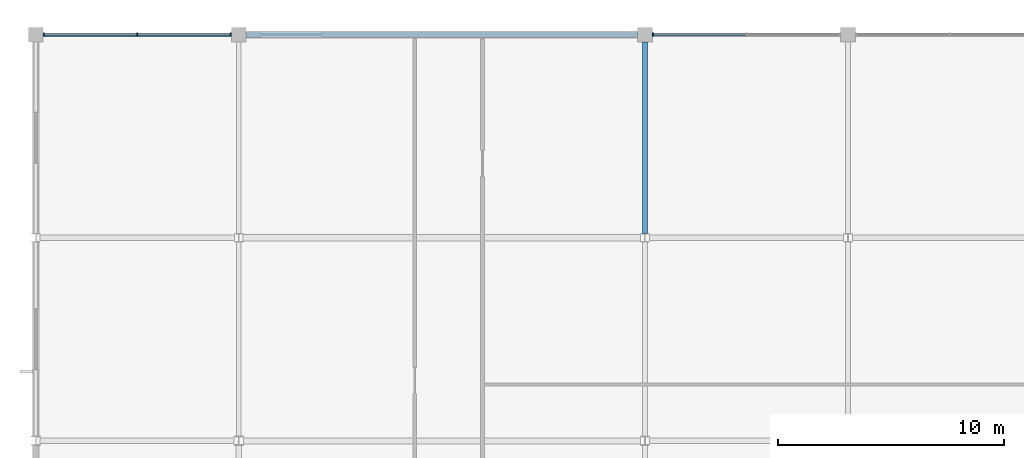
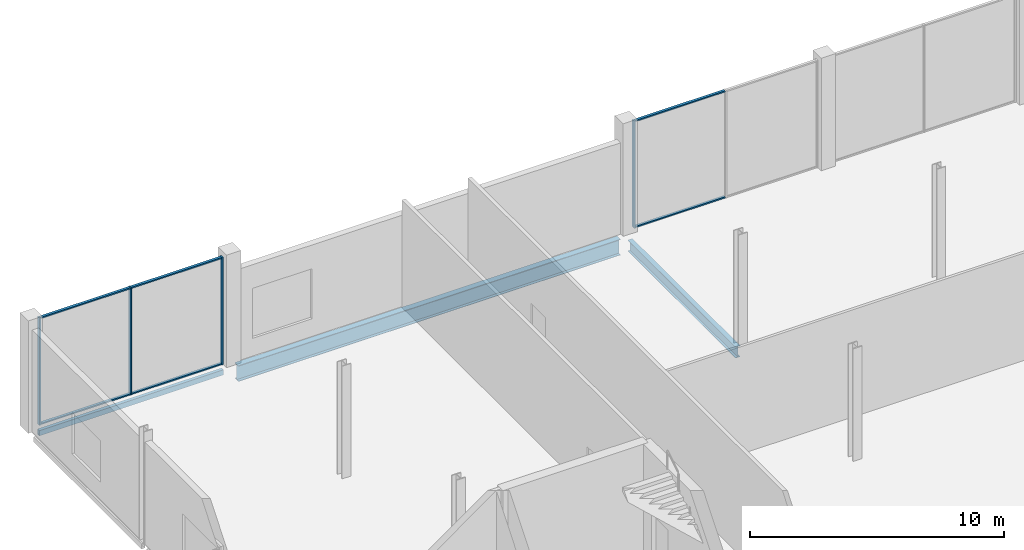
# One storey, part 29 of 111: 10 members, 3 beams, 2 elements without a shape of their own.
"""IFC4 building model written with IfcOpenShell, lengths in metres."""

from ifc_helpers import new_model, si_unit, direction, frame, origin, origin_2d, place, context, subcontext, project, spatial, rectangle, hollow_rectangle, i_section, extrude, material, layer, layer_set, material_profile, profile_set, type_object, element, aggregate, save


model = new_model("IFC4")

# Units and contexts
model_context = context("Model", 3, precision=1e-05, world=origin(), true_north=direction((0.0, 1.0)))
body_context = subcontext(model_context, "Body", "Model", "MODEL_VIEW")
ifc_project = project(units=[si_unit("LENGTHUNIT", "METRE"), si_unit("AREAUNIT", "SQUARE_METRE"), si_unit("VOLUMEUNIT", "CUBIC_METRE"), si_unit("PLANEANGLEUNIT", "RADIAN"), si_unit("MASSUNIT", "GRAM", prefix="KILO")], contexts=[model_context])

# Site, building, storey
site_placement = place(None, origin())
site = spatial("IfcSite", under=ifc_project, at=site_placement, CompositionType="ELEMENT")
building_placement = place(site_placement, origin())
building = spatial("IfcBuilding", under=site, at=building_placement, Name="Kisiwana Market Hall", CompositionType="ELEMENT")
storey_placement = place(building_placement, frame((0.0, 0.0, 11.39990234375)))
storey = spatial("IfcBuildingStorey", under=building, at=storey_placement, Name="L02", CompositionType="ELEMENT", Elevation=11.39990234375)

# Beams
ifc_material_1 = material(Name="Steel S355", Category="steel")
ifc_material_profile_1 = material_profile(ifc_material_1, i_section(OverallWidth=0.209228515625, OverallDepth=0.533203125, WebThickness=0.010009765625, FlangeThickness=0.015625, at=origin_2d()), Name="UB 533x210x92")
ifc_profile_set_1 = profile_set([ifc_material_profile_1], Name="Steel S355")
beam_type_1 = type_object("IfcBeamType", Name="BM-GIRD-UB533", PredefinedType="BEAM", material=ifc_profile_set_1)
beam_1_placement = place(storey_placement, frame((27.0, 111.19921875, -0.516357421875), z_axis=(0.0, 1.0, 0.0), x_axis=(-1.0, 0.0, 0.0)))
element("IfcBeam", 1, at=beam_1_placement, inside=storey, type_object=beam_type_1, Name="Primary girder B-0614", PredefinedType="BEAM", context=body_context, shape_type="SweptSolid", body=[
    extrude(i_section(OverallWidth=0.209228515625, OverallDepth=0.533203125, WebThickness=0.010009765625, FlangeThickness=0.015625, at=origin_2d()), origin(), (0.0, 0.0, 1.0), 8.479736328125),
])
ifc_material_2 = material(Name="Steel S355", Category="steel")
ifc_material_profile_2 = material_profile(ifc_material_2, i_section(OverallWidth=0.2666015625, OverallDepth=0.76220703125, WebThickness=0.014404296875, FlangeThickness=0.021484375, at=origin_2d()), Name="UB 762x267x173")
ifc_profile_set_2 = profile_set([ifc_material_profile_2], Name="Steel S355")
beam_type_2 = type_object("IfcBeamType", Name="BM-GIRD-UB762", PredefinedType="BEAM", material=ifc_profile_set_2)
beam_2_placement = place(storey_placement, frame((9.321044921875, 120.0, -0.631103515625), z_axis=(1.0, 0.0, 0.0), x_axis=(0.0, 1.0, 0.0)))
element("IfcBeam", 2, at=beam_2_placement, inside=storey, type_object=beam_type_2, Name="Floor beam B-0812", PredefinedType="BEAM", context=body_context, shape_type="SweptSolid", body=[
    extrude(i_section(OverallWidth=0.2666015625, OverallDepth=0.76220703125, WebThickness=0.014404296875, FlangeThickness=0.021484375, at=origin_2d()), origin(), (0.0, 0.0, 1.0), 17.35791015625),
])
ifc_material_3 = material(Name="Steel S355", Category="steel")
ifc_material_profile_3 = material_profile(ifc_material_3, hollow_rectangle(XDim=0.14990234375, YDim=0.25, WallThickness=0.010009765625, at=origin_2d()), Name="RHS 250x150x10.0")
ifc_profile_set_3 = profile_set([ifc_material_profile_3], Name="Steel S355")
beam_type_3 = type_object("IfcBeamType", Name="BM-SPAN-RHS250", PredefinedType="SPANDREL", material=ifc_profile_set_3)
beam_3_placement = place(storey_placement, frame((0.321044921875, 120.0, -0.375), z_axis=(1.0, 0.0, 0.0), x_axis=(0.0, 1.0, 0.0)))
element("IfcBeam", 3, at=beam_3_placement, inside=storey, type_object=beam_type_3, Name="Floor beam B-0811", PredefinedType="SPANDREL", context=body_context, shape_type="SweptSolid", body=[
    extrude(hollow_rectangle(XDim=0.14990234375, YDim=0.25, WallThickness=0.010009765625, at=origin_2d()), origin(), (0.0, 0.0, 1.0), 8.35791015625),
])

# Curtain wall, members
ifc_material_4 = material(Name="Double-glazed solar-control low-E IGU", Category="glass")
ifc_layer = layer(ifc_material_4, 0.159912109375)
ifc_layer_set = layer_set([ifc_layer], Name="CW-GLD-E-7200")
curtain_wall_type = type_object("IfcCurtainWallType", Name="CW-GLD-E-7200", PredefinedType="USERDEFINED", material=ifc_layer_set)
curtain_wall_1_placement = place(storey_placement, origin())
curtain_wall_1 = element("IfcCurtainWall", 4, at=curtain_wall_1_placement, inside=storey, type_object=curtain_wall_type, Name="Unitised curtain wall CW-079 (L02)", ObjectType="UNITISED CURTAIN WALL", PredefinedType="USERDEFINED")
ifc_material_5 = material(Name="Aluminium alloy 6063-T6", Category="aluminium")
ifc_material_profile_4 = material_profile(ifc_material_5, rectangle(XDim=0.06005859375, YDim=0.159912109375, at=origin_2d()), Name="ALU MULLION 60x160")
ifc_profile_set_4 = profile_set([ifc_material_profile_4], Name="Aluminium alloy 6063-T6")
member_type_1 = type_object("IfcMemberType", Name="CW-MULL-60x160", PredefinedType="MULLION", material=ifc_profile_set_4)
member_1_placement = place(storey_placement, frame((0.35498046875, 120.0, 0.0), z_axis=(0.0, 0.0, 1.0), x_axis=(1.0, 0.0, 0.0)))
member_1 = element("IfcMember", 5, at=member_1_placement, type_object=member_type_1, Name="CW-079 mullion 1", PredefinedType="MULLION", context=body_context, shape_type="SweptSolid", body=[
    extrude(rectangle(XDim=0.06005859375, YDim=0.159912109375, at=origin_2d()), origin(), (0.0, 0.0, 1.0), 5.150146484375),
])
member_2_placement = place(storey_placement, frame((4.5, 120.0, 0.0), z_axis=(0.0, 0.0, 1.0), x_axis=(1.0, 0.0, 0.0)))
member_2 = element("IfcMember", 6, at=member_2_placement, type_object=member_type_1, Name="CW-079 mullion 2", PredefinedType="MULLION", context=body_context, shape_type="SweptSolid", body=[
    extrude(rectangle(XDim=0.06005859375, YDim=0.159912109375, at=origin_2d()), origin(), (0.0, 0.0, 1.0), 5.150146484375),
])
member_3_placement = place(storey_placement, frame((8.64501953125, 120.0, 0.0), z_axis=(0.0, 0.0, 1.0), x_axis=(1.0, 0.0, 0.0)))
member_3 = element("IfcMember", 7, at=member_3_placement, type_object=member_type_1, Name="CW-079 mullion 3", PredefinedType="MULLION", context=body_context, shape_type="SweptSolid", body=[
    extrude(rectangle(XDim=0.06005859375, YDim=0.159912109375, at=origin_2d()), origin(), (0.0, 0.0, 1.0), 5.150146484375),
])

# Curtain wall, member
curtain_wall_2_placement = place(storey_placement, origin())
curtain_wall_2 = element("IfcCurtainWall", 8, at=curtain_wall_2_placement, inside=storey, type_object=curtain_wall_type, Name="Unitised curtain wall CW-080 (L02)", ObjectType="UNITISED CURTAIN WALL", PredefinedType="USERDEFINED")
member_4_placement = place(storey_placement, frame((27.35498046875, 120.0, 0.0), z_axis=(0.0, 0.0, 1.0), x_axis=(1.0, 0.0, 0.0)))
member_4 = element("IfcMember", 9, at=member_4_placement, type_object=member_type_1, Name="CW-080 mullion 1", PredefinedType="MULLION", context=body_context, shape_type="SweptSolid", body=[
    extrude(rectangle(XDim=0.06005859375, YDim=0.159912109375, at=origin_2d()), origin(), (0.0, 0.0, 1.0), 5.150146484375),
])

# Member
ifc_material_6 = material(Name="Aluminium alloy 6063-T6", Category="aluminium")
ifc_material_profile_5 = material_profile(ifc_material_6, rectangle(XDim=0.1201171875, YDim=0.06005859375, at=origin_2d()), Name="ALU TRANSOM 60x120")
ifc_profile_set_5 = profile_set([ifc_material_profile_5], Name="Aluminium alloy 6063-T6")
member_type_2 = type_object("IfcMemberType", Name="CW-TRAN-60x120", PredefinedType="USERDEFINED", material=ifc_profile_set_5)
member_5_placement = place(storey_placement, frame((0.385009765625, 120.0, 0.030029296875), z_axis=(1.0, 0.0, 0.0), x_axis=(0.0, 1.0, 0.0)))
member_5 = element("IfcMember", 10, at=member_5_placement, type_object=member_type_2, Name="CW-079 transom 1.1", ObjectType="TRANSOM", PredefinedType="USERDEFINED", context=body_context, shape_type="SweptSolid", body=[
    extrude(rectangle(XDim=0.1201171875, YDim=0.06005859375, at=origin_2d()), origin(), (0.0, 0.0, 1.0), 4.0849609375),
])

member_6_placement = place(storey_placement, frame((0.385009765625, 120.0, 5.1201171875), z_axis=(1.0, 0.0, 0.0), x_axis=(0.0, 1.0, 0.0)))
member_6 = element("IfcMember", 11, at=member_6_placement, type_object=member_type_2, Name="CW-079 transom 1.2", ObjectType="TRANSOM", PredefinedType="USERDEFINED", context=body_context, shape_type="SweptSolid", body=[
    extrude(rectangle(XDim=0.1201171875, YDim=0.06005859375, at=origin_2d()), origin(), (0.0, 0.0, 1.0), 4.0849609375),
])

member_7_placement = place(storey_placement, frame((4.530029296875, 120.0, 0.030029296875), z_axis=(1.0, 0.0, 0.0), x_axis=(0.0, 1.0, 0.0)))
member_7 = element("IfcMember", 12, at=member_7_placement, type_object=member_type_2, Name="CW-079 transom 2.1", ObjectType="TRANSOM", PredefinedType="USERDEFINED", context=body_context, shape_type="SweptSolid", body=[
    extrude(rectangle(XDim=0.1201171875, YDim=0.06005859375, at=origin_2d()), origin(), (0.0, 0.0, 1.0), 4.0849609375),
])

member_8_placement = place(storey_placement, frame((4.530029296875, 120.0, 5.1201171875), z_axis=(1.0, 0.0, 0.0), x_axis=(0.0, 1.0, 0.0)))
member_8 = element("IfcMember", 13, at=member_8_placement, type_object=member_type_2, Name="CW-079 transom 2.2", ObjectType="TRANSOM", PredefinedType="USERDEFINED", context=body_context, shape_type="SweptSolid", body=[
    extrude(rectangle(XDim=0.1201171875, YDim=0.06005859375, at=origin_2d()), origin(), (0.0, 0.0, 1.0), 4.0849609375),
])

aggregate(curtain_wall_1, [member_1, member_2, member_3, member_5, member_6, member_7, member_8])

member_9_placement = place(storey_placement, frame((27.385009765625, 120.0, 0.030029296875), z_axis=(1.0, 0.0, 0.0), x_axis=(0.0, 1.0, 0.0)))
member_9 = element("IfcMember", 14, at=member_9_placement, type_object=member_type_2, Name="CW-080 transom 1.1", ObjectType="TRANSOM", PredefinedType="USERDEFINED", context=body_context, shape_type="SweptSolid", body=[
    extrude(rectangle(XDim=0.1201171875, YDim=0.06005859375, at=origin_2d()), origin(), (0.0, 0.0, 1.0), 4.0849609375),
])

member_10_placement = place(storey_placement, frame((27.385009765625, 120.0, 5.1201171875), z_axis=(1.0, 0.0, 0.0), x_axis=(0.0, 1.0, 0.0)))
member_10 = element("IfcMember", 15, at=member_10_placement, type_object=member_type_2, Name="CW-080 transom 1.2", ObjectType="TRANSOM", PredefinedType="USERDEFINED", context=body_context, shape_type="SweptSolid", body=[
    extrude(rectangle(XDim=0.1201171875, YDim=0.06005859375, at=origin_2d()), origin(), (0.0, 0.0, 1.0), 4.0849609375),
])

aggregate(curtain_wall_2, [member_4, member_9, member_10])

save(model, "model.ifc")
